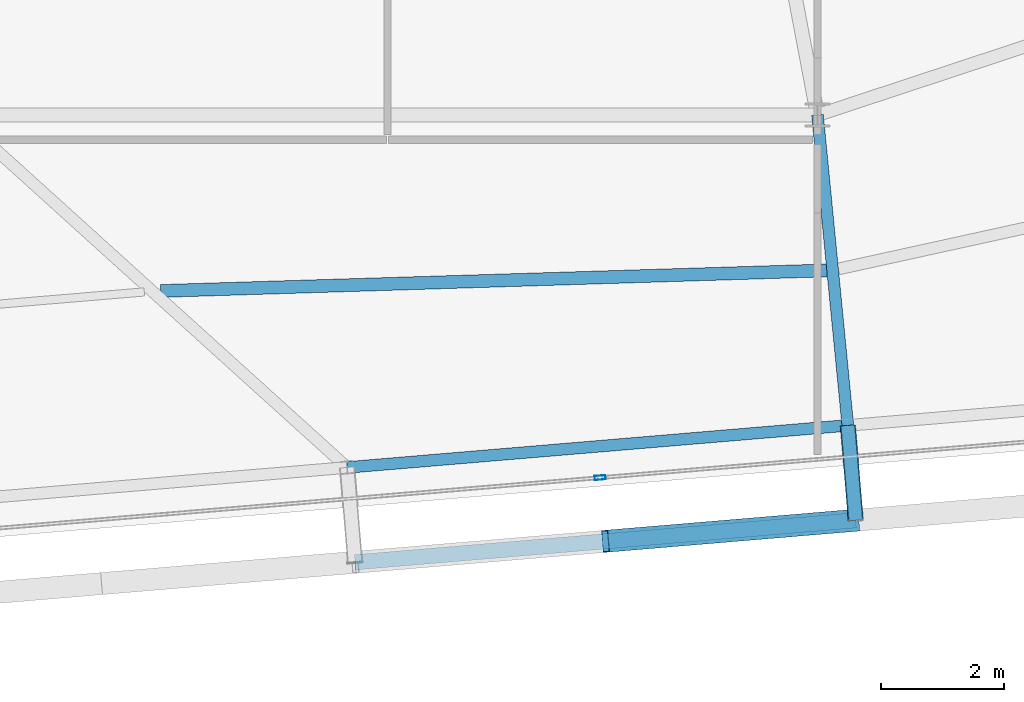
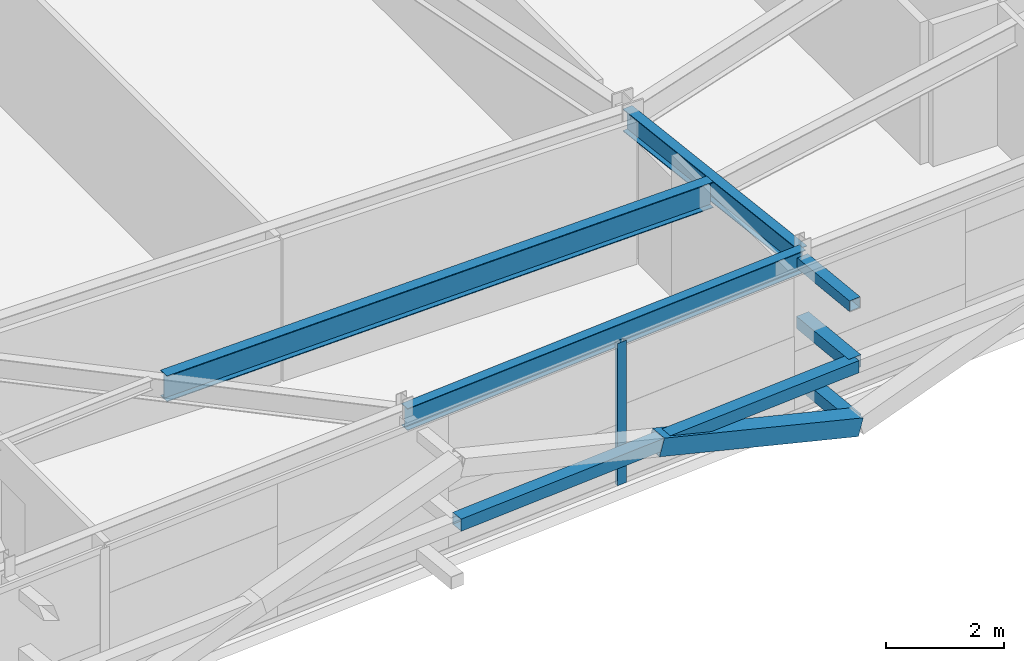
# One storey, part 10 of 39: 6 members, 3 beams, 1 element without a shape of its own.
"""IFC4 building model written with IfcOpenShell, lengths in metres."""

import ifcopenshell
import ifcopenshell.guid

model = None  # the IFC model being written
_history = None  # IfcOwnerHistory: only IFC2X3 demands one
_inside = {}  # id of a spatial element -> (the spatial element, [elements in it])
_under = {}  # id of a project, library or spatial element -> (it, [spatial elements below it])
_declared = {}  # id of a project -> (the project, [libraries it declares])
_typed = {}  # id of a type object -> (the type object, [elements of that type])
_made_of = {}  # id of a material, layer set ... -> (it, [elements and type objects made of it])


def new_model(schema):
    """Start an empty IFC model of exactly this schema.

    Asked for "IFC4X3", IfcOpenShell would pick the latest addendum, in which some entities
    have other attributes; the version numbers below select the first issue.
    IFC2X3 requires an IfcOwnerHistory on every rooted entity: one is made here for all.
    """
    global model, _history
    if schema == "IFC4X3":
        model = ifcopenshell.file(schema_version=(4, 3, 0, 0))
    else:
        model = ifcopenshell.file(schema=schema)
    _inside.clear()
    _under.clear()
    _declared.clear()
    _typed.clear()
    _made_of.clear()
    _history = None
    if model.schema == "IFC2X3":
        org = make("IfcOrganization", Name="unknown")
        user = make(
            "IfcPersonAndOrganization",
            ThePerson=make("IfcPerson", FamilyName="unknown"),
            TheOrganization=org,
        )
        app = make(
            "IfcApplication",
            ApplicationDeveloper=org,
            Version="unknown",
            ApplicationFullName="unknown",
            ApplicationIdentifier="unknown",
        )
        _history = make(
            "IfcOwnerHistory",
            OwningUser=user,
            OwningApplication=app,
            ChangeAction="ADDED",
            CreationDate=0,
        )
    return model


def make(cls, **values):
    """One entity of the class cls with the attributes given. An attribute that is None is left unset."""
    return model.create_entity(
        cls, **{name: value for name, value in values.items() if value is not None}
    )


def rooted(cls, **values):
    """An entity with a GlobalId (a new one), such as an element, a storey or a relation."""
    return make(cls, GlobalId=ifcopenshell.guid.new(), OwnerHistory=_history, **values)


def si_unit(unit_type, name, prefix=None):
    """IfcSIUnit, for example si_unit("LENGTHUNIT", "METRE", prefix="MILLI")."""
    return make("IfcSIUnit", UnitType=unit_type, Prefix=prefix, Name=name)


def assignment(units):
    """IfcUnitAssignment: the units of a project."""
    return None if units is None else make("IfcUnitAssignment", Units=units)


def point(xyz):
    """IfcCartesianPoint."""
    return None if xyz is None else make("IfcCartesianPoint", Coordinates=xyz)


def direction(xyz):
    """IfcDirection."""
    return None if xyz is None else make("IfcDirection", DirectionRatios=xyz)


def frame(location, z_axis=None, x_axis=None):
    """IfcAxis2Placement3D, a coordinate frame: its origin and axes. An axis left out is left unset."""
    return make(
        "IfcAxis2Placement3D",
        Location=point(location),
        Axis=direction(z_axis),
        RefDirection=direction(x_axis),
    )


def frame_2d(location, x_axis=None):
    """IfcAxis2Placement2D, a coordinate frame in the plane: its origin and x axis."""
    return make(
        "IfcAxis2Placement2D", Location=point(location), RefDirection=direction(x_axis)
    )


def origin():
    """The frame at (0, 0, 0) with its axes left unset."""
    return frame((0.0, 0.0, 0.0))


def origin_2d():
    """The frame at (0, 0) in the plane with its x axis left unset."""
    return frame_2d((0.0, 0.0))


def place(relative_to, where):
    """IfcLocalPlacement: puts the frame where relative to a parent placement (None: the world)."""
    return make(
        "IfcLocalPlacement", PlacementRelTo=relative_to, RelativePlacement=where
    )


def context(
    kind, dimensions, precision=None, world=None, true_north=None, identifier=None
):
    """IfcGeometricRepresentationContext, for example the 3D "Model" context."""
    return make(
        "IfcGeometricRepresentationContext",
        ContextIdentifier=identifier,
        ContextType=kind,
        CoordinateSpaceDimension=dimensions,
        Precision=precision,
        WorldCoordinateSystem=world,
        TrueNorth=true_north,
    )


def subcontext(parent, identifier, kind, view, scale=None):
    """IfcGeometricRepresentationSubContext, for example "Body" below "Model"."""
    return make(
        "IfcGeometricRepresentationSubContext",
        ContextIdentifier=identifier,
        ContextType=kind,
        ParentContext=parent,
        TargetScale=scale,
        TargetView=view,
    )


def project(units=None, contexts=None):
    """IfcProject with its units and contexts."""
    return rooted(
        "IfcProject",
        Name="project",
        RepresentationContexts=contexts,
        UnitsInContext=assignment(units),
    )


def spatial(cls, under=None, at=None, **own):
    """A site, building, storey or space (cls), placed at a placement, below another one or the project."""
    s = rooted(cls, ObjectPlacement=at, **own)
    if under is not None:
        _under.setdefault(under.id(), (under, []))[1].append(s)
    return s


def profile(cls, at=None, kind="AREA", **sizes):
    """A parametric profile (cls). Its sizes go by their IFC names, for example OverallWidth=200.0."""
    return make(cls, ProfileType=kind, Position=at, **sizes)


def hollow_rectangle(**sizes):
    """IfcRectangleHollowProfileDef."""
    return profile("IfcRectangleHollowProfileDef", **sizes)


def i_section(**sizes):
    """IfcIShapeProfileDef."""
    return profile("IfcIShapeProfileDef", **sizes)


def extrude(swept, where, along, depth):
    """IfcExtrudedAreaSolid: the profile swept, set in the frame where, extruded along a direction by depth."""
    return make(
        "IfcExtrudedAreaSolid",
        SweptArea=swept,
        Position=where,
        ExtrudedDirection=direction(along),
        Depth=depth,
    )


def shape(context_of_items, identifier, shape_type, items):
    """IfcShapeRepresentation: the items that make up one representation, for example the "Body"."""
    return make(
        "IfcShapeRepresentation",
        ContextOfItems=context_of_items,
        RepresentationIdentifier=identifier,
        RepresentationType=shape_type,
        Items=items,
    )


def source(mapping_origin, context_of_items, identifier, shape_type, items):
    """IfcRepresentationMap: a shape defined once, which mapped items show again and again."""
    return make(
        "IfcRepresentationMap",
        MappingOrigin=mapping_origin,
        MappedRepresentation=shape(context_of_items, identifier, shape_type, items),
    )


def transform(
    local_origin,
    x_axis=None,
    y_axis=None,
    z_axis=None,
    scale=None,
    scale2=None,
    scale3=None,
    uniform=True,
):
    """IfcCartesianTransformationOperator3D, or its non-uniform kind. x_axis, y_axis, z_axis: its Axis1, 2, 3."""
    if uniform:
        return make(
            "IfcCartesianTransformationOperator3D",
            Axis1=direction(x_axis),
            Axis2=direction(y_axis),
            LocalOrigin=point(local_origin),
            Scale=scale,
            Axis3=direction(z_axis),
        )
    return make(
        "IfcCartesianTransformationOperator3DnonUniform",
        Axis1=direction(x_axis),
        Axis2=direction(y_axis),
        LocalOrigin=point(local_origin),
        Scale=scale,
        Axis3=direction(z_axis),
        Scale2=scale2,
        Scale3=scale3,
    )


def mapped(mapping_source, mapping_target):
    """IfcMappedItem: shows the shape of a source again, moved by a transform."""
    return make(
        "IfcMappedItem", MappingSource=mapping_source, MappingTarget=mapping_target
    )


def material(Name=None, Category=None):
    """IfcMaterial."""
    return make("IfcMaterial", Name=Name, Category=Category)


def layer(
    of_material, thickness, ventilated=None, Name=None, Category=None, Priority=None
):
    """IfcMaterialLayer: one layer of a wall or slab, of a material (None: an air gap)."""
    return make(
        "IfcMaterialLayer",
        Material=of_material,
        LayerThickness=thickness,
        IsVentilated=ventilated,
        Name=Name,
        Category=Category,
        Priority=Priority,
    )


def layer_set(layers, Name=None):
    """IfcMaterialLayerSet."""
    return make("IfcMaterialLayerSet", MaterialLayers=layers, LayerSetName=Name)


def material_profile(
    of_material, cross_section, Name=None, Category=None, Priority=None
):
    """IfcMaterialProfile: a cross section and its material."""
    return make(
        "IfcMaterialProfile",
        Name=Name,
        Material=of_material,
        Profile=cross_section,
        Priority=Priority,
        Category=Category,
    )


def profile_set(profiles, Name=None, composite=None):
    """IfcMaterialProfileSet."""
    return make(
        "IfcMaterialProfileSet",
        Name=Name,
        MaterialProfiles=profiles,
        CompositeProfile=composite,
    )


def made_of(thing, what):
    """Note that an element or type object is made of a material, layer set ...; save() writes the relation."""
    if what is not None:
        _made_of.setdefault(what.id(), (what, []))[1].append(thing)
    return thing


def type_object(cls, material=None, **own):
    """A type object (cls), such as IfcWallType, which elements share."""
    return made_of(rooted(cls, **own), material)


def element(
    cls,
    number,
    at=None,
    inside=None,
    cuts=None,
    type_object=None,
    material=None,
    context=None,
    identifier="Body",
    shape_type=None,
    held_by="IfcProductDefinitionShape",
    body=None,
    shapes=None,
    **own,
):
    """One element of the class cls, such as IfcWall. Its Tag is "e" and its number.

    at: its placement. inside: the storey or other place that contains it. cuts: it is an
    opening in that element (IfcRelVoidsElement). A single representation is given by context,
    identifier, shape_type and body (its items); several are given by shapes. held_by: the class
    of the entity that holds the representations. save() writes the other relations.
    """
    e = rooted(cls, Tag="e%d" % number, ObjectPlacement=at, **own)
    if body is not None:
        shapes = [shape(context, identifier, shape_type, body)]
    if shapes is not None:
        e.Representation = make(held_by, Representations=shapes)
    if inside is not None:
        _inside.setdefault(inside.id(), (inside, []))[1].append(e)
    if cuts is not None:
        rooted(
            "IfcRelVoidsElement", RelatingBuildingElement=cuts, RelatedOpeningElement=e
        )
    if type_object is not None:
        _typed.setdefault(type_object.id(), (type_object, []))[1].append(e)
    return made_of(e, material)


def aggregate(whole, parts):
    """IfcRelAggregates: a whole, such as a stair, and the parts it consists of."""
    return rooted("IfcRelAggregates", RelatingObject=whole, RelatedObjects=parts)


def save(model, path):
    """Write the relations noted so far, then the file.

    IfcRelAggregates (storeys below a building ...), IfcRelContainedInSpatialStructure (elements
    in a storey), IfcRelDefinesByType, IfcRelAssociatesMaterial and IfcRelDeclares: one each for
    every whole, place, type object, material and project.
    """
    for whole, parts in _under.values():
        aggregate(whole, parts)
    for where, things in _inside.values():
        rooted(
            "IfcRelContainedInSpatialStructure",
            RelatedElements=things,
            RelatingStructure=where,
        )
    for kind, things in _typed.values():
        rooted("IfcRelDefinesByType", RelatedObjects=things, RelatingType=kind)
    for what, things in _made_of.values():
        rooted("IfcRelAssociatesMaterial", RelatedObjects=things, RelatingMaterial=what)
    for by, libraries in _declared.values():
        rooted("IfcRelDeclares", RelatingContext=by, RelatedDefinitions=libraries)
    model.write(path)


model = new_model("IFC4")

# Units and contexts
model_context = context("Model", 3, precision=1e-05, world=origin(), true_north=direction((0.0, 1.0)))
body_context = subcontext(model_context, "Body", "Model", "MODEL_VIEW")
ifc_project = project(units=[si_unit("LENGTHUNIT", "METRE"), si_unit("AREAUNIT", "SQUARE_METRE"), si_unit("VOLUMEUNIT", "CUBIC_METRE"), si_unit("PLANEANGLEUNIT", "RADIAN"), si_unit("MASSUNIT", "GRAM", prefix="KILO")], contexts=[model_context])

# Site, building, storey
site_placement = place(None, origin())
site = spatial("IfcSite", under=ifc_project, at=site_placement, CompositionType="ELEMENT")
building_placement = place(site_placement, origin())
building = spatial("IfcBuilding", under=site, at=building_placement, Name="Taldren Reach Tower", CompositionType="ELEMENT")
storey_placement = place(building_placement, frame((0.0, 0.0, 175.699951171875)))
storey = spatial("IfcBuildingStorey", under=building, at=storey_placement, Name="L53", CompositionType="ELEMENT", Elevation=175.699951171875)

# Members
ifc_material_1 = material(Name="Steel Gr 350 (C350L0)", Category="steel")
ifc_material_profile_1 = material_profile(ifc_material_1, hollow_rectangle(XDim=0.25, YDim=0.25, WallThickness=0.010009765625, at=origin_2d()), Name="250x250x10.0SHS")
ifc_profile_set_1 = profile_set([ifc_material_profile_1], Name="Steel Gr 350 (C350L0)")
member_type_1 = type_object("IfcMemberType", Name="MB-POST250", PredefinedType="POST", material=ifc_profile_set_1)
shared_shape_1 = source(origin(), body_context, "Body", "SweptSolid", [
    extrude(hollow_rectangle(XDim=0.25, YDim=0.25, WallThickness=0.010009765625, at=origin_2d()), origin(), (0.0, 0.0, 1.0), 1.5498046875),
])
for number, where, z_axis, x_axis, name in (
    (1, (42.49365234375, 4.1474609375, 0.219970703125), (0.083645141657, -0.996495604746, 0.0), (0.996495604746, 0.083645141657, 0.0), "Exoskeleton base diaphragm tie strut B4-S4 L53"),
    (2, (42.49365234375, 4.1474609375, 1.43505859375), (0.083645141657, -0.996495604746, 0.0), (0.996495604746, 0.083645141657, 0.0), "Exoskeleton mid-tier diaphragm tie B4-S4 L53"),
):
    element("IfcMember", number, at=place(storey_placement, frame(where, z_axis=z_axis, x_axis=x_axis)), inside=storey, type_object=member_type_1, Name=name, PredefinedType="POST", context=body_context, shape_type="MappedRepresentation", body=[
        mapped(shared_shape_1, transform((0.0, 0.0, 0.0), scale=1.0)),
    ])

# Beams
ifc_material_2 = material(Name="Steel Gr 350 (350PLUS)", Category="steel")
ifc_material_profile_2 = material_profile(ifc_material_2, i_section(OverallWidth=0.18994140625, OverallDepth=0.4541015625, WebThickness=0.008544921875, FlangeThickness=0.0126953125, at=origin_2d()), Name="460UB67.1")
ifc_profile_set_2 = profile_set([ifc_material_profile_2], Name="Steel Gr 350 (350PLUS)")
beam_type_1 = type_object("IfcBeamType", Name="SP-UB460B", PredefinedType="SPANDREL", material=ifc_profile_set_2)
shared_shape_2 = source(origin(), body_context, "Body", "SweptSolid", [
    extrude(i_section(OverallWidth=0.18994140625, OverallDepth=0.4541015625, WebThickness=0.008544921875, FlangeThickness=0.0126953125, at=origin_2d()), origin(), (0.0, 0.0, 1.0), 8.18017578125),
])
beam_1_placement = place(storey_placement, frame((34.34228515625, 3.462890625, 2.703125), z_axis=(0.996492034688, 0.083687662192, 0.0), x_axis=(-0.083687662192, 0.996492034688, 0.0)))
element("IfcBeam", 3, at=beam_1_placement, inside=storey, type_object=beam_type_1, Name="Perimeter spandrel B4 S3-S4 L53", PredefinedType="SPANDREL", context=body_context, shape_type="MappedRepresentation", body=[
    mapped(shared_shape_2, transform((0.0, 0.0, 0.0), scale=1.0)),
])
ifc_material_profile_3 = material_profile(ifc_material_2, i_section(OverallWidth=0.19091796875, OverallDepth=0.4599609375, WebThickness=0.010009765625, FlangeThickness=0.01611328125, at=origin_2d()), Name="460UB82.1")
ifc_profile_set_3 = profile_set([ifc_material_profile_3], Name="Steel Gr 350 (350PLUS)")
beam_type_2 = type_object("IfcBeamType", Name="BM-UB460A", PredefinedType="BEAM", material=ifc_profile_set_3)
shared_shape_3 = source(origin(), body_context, "Body", "SweptSolid", [
    extrude(i_section(OverallWidth=0.19091796875, OverallDepth=0.4599609375, WebThickness=0.010009765625, FlangeThickness=0.01611328125, at=origin_2d()), origin(), (0.0, 0.0, 1.0), 5.07666015625),
])
beam_2_placement = place(storey_placement, frame((42.0, 9.199951171875, 2.699951171875), z_axis=(0.097241716644, -0.995260794236, 0.0), x_axis=(0.995260794236, 0.097241716644, 0.0)))
element("IfcBeam", 4, at=beam_2_placement, inside=storey, type_object=beam_type_2, Name="Primary floor girder B4-S4 L53", PredefinedType="BEAM", context=body_context, shape_type="MappedRepresentation", body=[
    mapped(shared_shape_3, transform((0.0, 0.0, 0.0), scale=1.0)),
])
ifc_material_profile_4 = material_profile(ifc_material_2, i_section(OverallWidth=0.208984375, OverallDepth=0.532958984375, WebThickness=0.01025390625, FlangeThickness=0.015625, at=origin_2d()), Name="530UB92.4")
ifc_profile_set_4 = profile_set([ifc_material_profile_4], Name="Steel Gr 350 (350PLUS)")
beam_type_3 = type_object("IfcBeamType", Name="BM-UB530A", PredefinedType="BEAM", material=ifc_profile_set_4)
shared_shape_4 = source(origin(), body_context, "Body", "SweptSolid", [
    extrude(i_section(OverallWidth=0.208984375, OverallDepth=0.532958984375, WebThickness=0.01025390625, FlangeThickness=0.015625, at=origin_2d()), origin(), (0.0, 0.0, 1.0), 10.847412109375),
])
beam_3_placement = place(storey_placement, frame((31.308837890625, 6.335693359375, 2.66357421875), z_axis=(0.999522428572, 0.030901695439, 0.0), x_axis=(-0.030901695439, 0.999522428572, 0.0)))
element("IfcBeam", 5, at=beam_3_placement, inside=storey, type_object=beam_type_3, Name="Secondary floor beam B4 J3 L53", PredefinedType="BEAM", context=body_context, shape_type="MappedRepresentation", body=[
    mapped(shared_shape_4, transform((0.0, 0.0, 0.0), scale=1.0)),
])

# Members
ifc_material_3 = material(Name="Steel Gr 450 (C450L0)", Category="steel")
ifc_material_profile_5 = material_profile(ifc_material_3, hollow_rectangle(XDim=0.219970703125, YDim=0.219970703125, WallThickness=0.00830078125, at=origin_2d()), Name="220x220x8.2SHS")
ifc_profile_set_5 = profile_set([ifc_material_profile_5], Name="Steel Gr 450 (C450L0)")
member_type_2 = type_object("IfcMemberType", Name="MB-TIE219", PredefinedType="STRUT", material=ifc_profile_set_5)
shared_shape_5 = source(origin(), body_context, "Body", "SweptSolid", [
    extrude(hollow_rectangle(XDim=0.219970703125, YDim=0.219970703125, WallThickness=0.00830078125, at=origin_2d()), origin(), (0.0, 0.0, 1.0), 1.5498046875),
])
member_1_placement = place(storey_placement, frame((42.49365234375, 4.1474609375, 2.650146484375), z_axis=(0.083645141657, -0.996495604746, 0.0), x_axis=(0.996495604746, 0.083645141657, 0.0)))
element("IfcMember", 6, at=member_1_placement, inside=storey, type_object=member_type_2, Name="Exoskeleton diaphragm tie strut B4-S4 L53", PredefinedType="STRUT", context=body_context, shape_type="MappedRepresentation", body=[
    mapped(shared_shape_5, transform((0.0, 0.0, 0.0), scale=1.0)),
])
shared_shape_6 = source(origin(), body_context, "Body", "SweptSolid", [
    extrude(hollow_rectangle(XDim=0.25, YDim=0.25, WallThickness=0.010009765625, at=origin_2d()), origin(), (0.0, 0.0, 1.0), 8.18017578125),
])
member_2_placement = place(storey_placement, frame((34.471923828125, 1.91845703125, 1.43505859375), z_axis=(0.996492034688, 0.083687662192, 0.0), x_axis=(-0.083687662192, 0.996492034688, 0.0)))
element("IfcMember", 7, at=member_2_placement, inside=storey, type_object=member_type_1, Name="Exoskeleton mid-height ring chord B4-S3 L53", PredefinedType="POST", context=body_context, shape_type="MappedRepresentation", body=[
    mapped(shared_shape_6, transform((0.0, 0.0, 0.0), scale=1.0)),
])
ifc_material_profile_6 = material_profile(ifc_material_3, hollow_rectangle(XDim=0.360107421875, YDim=0.360107421875, WallThickness=0.0126953125, at=origin_2d()), Name="360x360x12.7SHS")
ifc_profile_set_6 = profile_set([ifc_material_profile_6], Name="Steel Gr 450 (C450L0)")
member_type_3 = type_object("IfcMemberType", Name="MB-EXO356", PredefinedType="BRACE", material=ifc_profile_set_6)
shared_shape_7 = source(origin(), body_context, "Body", "SweptSolid", [
    extrude(hollow_rectangle(XDim=0.360107421875, YDim=0.360107421875, WallThickness=0.0126953125, at=origin_2d()), origin(), (0.0, 0.0, 1.0), 4.2666015625),
])
member_3_placement = place(storey_placement, frame((42.623291015625, 2.60302734375, 0.219970703125), z_axis=(-0.955229159097, -0.080222312271, 0.284783486572), x_axis=(0.083687662192, -0.996492034688, 0.0)))
element("IfcMember", 8, at=member_3_placement, inside=storey, type_object=member_type_3, Name="Exoskeleton Diagrid Brace B4-S3 L53", PredefinedType="BRACE", context=body_context, shape_type="MappedRepresentation", body=[
    mapped(shared_shape_7, transform((0.0, 0.0, 0.0), scale=1.0)),
])

# Curtain wall, member
ifc_material_4 = material(Name="Aluminium and Low-E Glass Unitised System", Category="aluminium")
ifc_layer = layer(ifc_material_4, 0.159912109375)
ifc_layer_set = layer_set([ifc_layer], Name="Aluminium and Low-E Glass Unitised System")
curtain_wall_type = type_object("IfcCurtainWallType", Name="CW-SYS-5", PredefinedType="NOTDEFINED", material=ifc_layer_set)
curtain_wall_placement = place(storey_placement, origin())
curtain_wall = element("IfcCurtainWall", 9, at=curtain_wall_placement, inside=storey, type_object=curtain_wall_type, Name="Unitised curtain wall CW-L53-S", PredefinedType="NOTDEFINED")
ifc_material_5 = material(Name="Anodised Aluminium 6063-T6", Category="aluminium")
ifc_material_profile_7 = material_profile(ifc_material_5, hollow_rectangle(XDim=0.070068359375, YDim=0.179931640625, WallThickness=0.00390625, at=origin_2d()), Name="ALU-180x70x4RHS")
ifc_profile_set_7 = profile_set([ifc_material_profile_7], Name="Anodised Aluminium 6063-T6")
member_type_4 = type_object("IfcMemberType", Name="CW-MUL-180", PredefinedType="MULLION", material=ifc_profile_set_7)
shared_shape_8 = source(origin(), body_context, "Body", "SweptSolid", [
    extrude(hollow_rectangle(XDim=0.070068359375, YDim=0.179931640625, WallThickness=0.00390625, at=origin_2d()), origin(), (0.0, 0.0, 1.0), 2.929931640625),
])
member_4_placement = place(storey_placement, frame((38.460693359375, 3.297119140625, 0.0), z_axis=(0.0, 0.0, 1.0), x_axis=(-0.083677894865, 0.996492854922, 0.0)))
member_4 = element("IfcMember", 10, at=member_4_placement, type_object=member_type_4, Name="CW-5 mullion 3", PredefinedType="MULLION", context=body_context, shape_type="MappedRepresentation", body=[
    mapped(shared_shape_8, transform((0.0, 0.0, 0.0), scale=1.0)),
])
aggregate(curtain_wall, [member_4])

save(model, "model.ifc")
